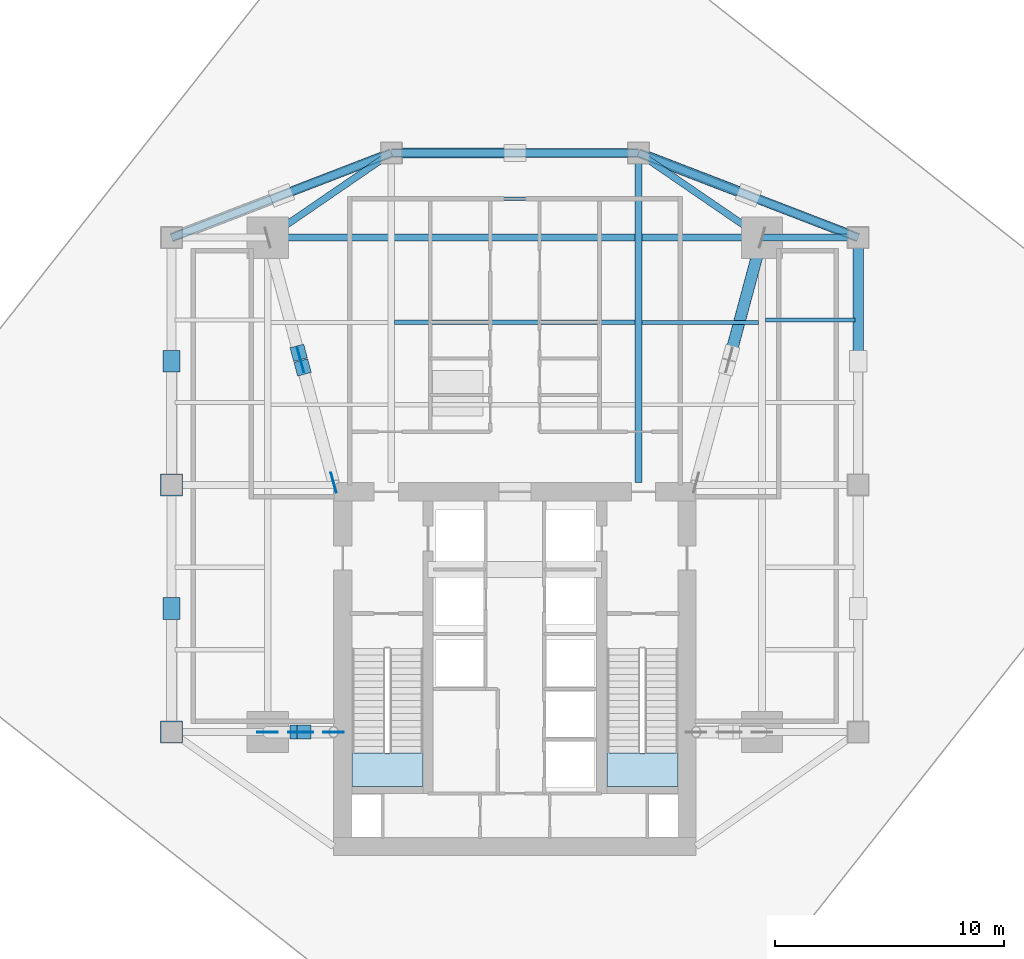
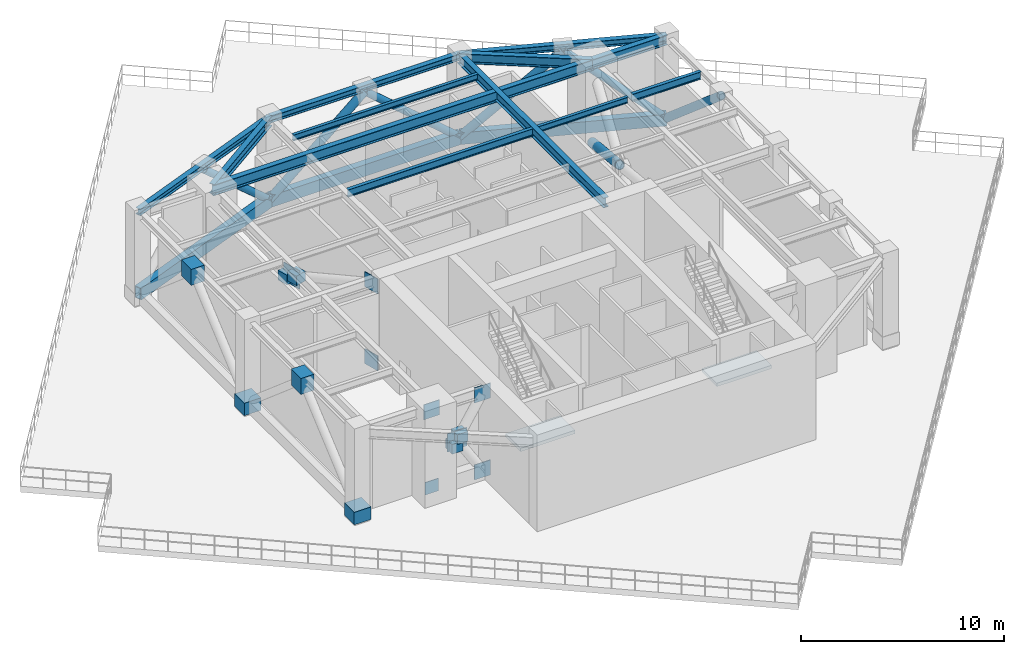
# One storey, part 2 of 8: 16 plates, 12 beams, 10 members, 2 slabs, 2 elements without a shape of their own.
"""IFC4 building model written with IfcOpenShell, lengths in metres."""

from ifc_helpers import new_model, si_unit, direction, frame, origin, origin_2d, place, context, subcontext, project, spatial, polyline, rectangle, hollow_rectangle, hollow_circle, i_section, outline, extrude, source, transform, mapped, material, layer, layer_set, material_profile, profile_set, type_object, type_shapes, element, aggregate, save


model = new_model("IFC4")

# Units and contexts
model_context = context("Model", 3, precision=1e-05, world=origin(), true_north=direction((0.0, 1.0)))
body_context = subcontext(model_context, "Body", "Model", "MODEL_VIEW")
ifc_project = project(units=[si_unit("LENGTHUNIT", "METRE"), si_unit("AREAUNIT", "SQUARE_METRE"), si_unit("VOLUMEUNIT", "CUBIC_METRE"), si_unit("PLANEANGLEUNIT", "RADIAN"), si_unit("MASSUNIT", "GRAM", prefix="KILO")], contexts=[model_context])

# Site, building, storey
site_placement = place(None, origin())
site = spatial("IfcSite", under=ifc_project, at=site_placement, CompositionType="ELEMENT")
building_placement = place(site_placement, origin())
building = spatial("IfcBuilding", under=site, at=building_placement, Name="Krantzveldt Concourse Tower", CompositionType="ELEMENT")
storey_placement = place(building_placement, frame((0.0, 0.0, 201.5)))
storey = spatial("IfcBuildingStorey", under=building, at=storey_placement, Name="L49", CompositionType="ELEMENT", Elevation=201.5)

# Beams
ifc_material_1 = material(Name="Steel S355JR", Category="steel")
ifc_material_profile_1 = material_profile(ifc_material_1, i_section(OverallWidth=0.300048828125, OverallDepth=0.639892578125, WebThickness=0.013427734375, FlangeThickness=0.02587890625, FilletRadius=0.027099609375, at=origin_2d()), Name="Steel S355JR", Category="steel")
ifc_profile_set_1 = profile_set([ifc_material_profile_1], Name="Steel S355JR - HEA 650")
beam_type_1 = type_object("IfcBeamType", Name="BM-B-HEA650", PredefinedType="BEAM", material=ifc_profile_set_1)
shared_shape_1 = source(origin(), body_context, "Body", "SweptSolid", [
    extrude(i_section(OverallWidth=0.300048828125, OverallDepth=0.639892578125, WebThickness=0.013427734375, FlangeThickness=0.02587890625, FilletRadius=0.027099609375, at=origin_2d()), origin(), (0.0, 0.0, 1.0), 21.60009765625),
])
type_shapes(beam_type_1, [shared_shape_1])
beam_1_placement = place(storey_placement, frame((25.199951171875, 37.5, 5.199951171875), z_axis=(1.0, 0.0, 0.0), x_axis=(0.0, 1.0, 0.0)))
element("IfcBeam", 1, at=beam_1_placement, inside=storey, type_object=beam_type_1, Name="L49 Tower Girder BG-MN", PredefinedType="BEAM", context=body_context, shape_type="MappedRepresentation", body=[
    mapped(shared_shape_1, transform((0.0, 0.0, 0.0), x_axis=(1.0, 0.0, 0.0), y_axis=(0.0, 1.0, 0.0), z_axis=(0.0, 0.0, 1.0), scale=1.0)),
])
ifc_material_profile_2 = material_profile(ifc_material_1, i_section(OverallWidth=0.300048828125, OverallDepth=0.590087890625, WebThickness=0.012939453125, FlangeThickness=0.02490234375, FilletRadius=0.027099609375, at=origin_2d()), Name="Steel S355JR", Category="steel")
ifc_profile_set_2 = profile_set([ifc_material_profile_2], Name="Steel S355JR - HEA 600")
beam_type_2 = type_object("IfcBeamType", Name="BM-B-HEA600", PredefinedType="BEAM", material=ifc_profile_set_2)
shared_shape_2 = source(origin(), body_context, "Body", "SweptSolid", [
    extrude(i_section(OverallWidth=0.300048828125, OverallDepth=0.590087890625, WebThickness=0.012939453125, FlangeThickness=0.02490234375, FilletRadius=0.027099609375, at=origin_2d()), origin(), (0.0, 0.0, 1.0), 14.39990234375),
])
beam_2_placement = place(storey_placement, frame((41.39990234375, 26.800048828125, 5.22509765625), z_axis=(0.0, 1.0, 0.0), x_axis=(-1.0, 0.0, 0.0)))
element("IfcBeam", 2, at=beam_2_placement, inside=storey, type_object=beam_type_2, Name="L49 Tower Girder BG-CNE", PredefinedType="BEAM", context=body_context, shape_type="MappedRepresentation", body=[
    mapped(shared_shape_2, transform((0.0, 0.0, 0.0), x_axis=(1.0, 0.0, 0.0), y_axis=(0.0, 1.0, 0.0), z_axis=(0.0, 0.0, 1.0), scale=1.0)),
])
shared_shape_3 = source(origin(), body_context, "Body", "SweptSolid", [
    extrude(i_section(OverallWidth=0.300048828125, OverallDepth=0.590087890625, WebThickness=0.012939453125, FlangeThickness=0.02490234375, FilletRadius=0.027099609375, at=origin_2d()), origin(), (0.0, 0.0, 1.0), 4.199951171875),
])
beam_3_placement = place(storey_placement, frame((46.800048828125, 37.5, 5.22509765625), z_axis=(1.0, 0.0, 0.0), x_axis=(0.0, 1.0, 0.0)))
element("IfcBeam", 3, at=beam_3_placement, inside=storey, type_object=beam_type_2, Name="L49 Tower Girder BR-RR3", PredefinedType="BEAM", context=body_context, shape_type="MappedRepresentation", body=[
    mapped(shared_shape_3, transform((0.0, 0.0, 0.0), x_axis=(1.0, 0.0, 0.0), y_axis=(0.0, 1.0, 0.0), z_axis=(0.0, 0.0, 1.0), scale=1.0)),
])
shared_shape_4 = source(origin(), body_context, "Body", "SweptSolid", [
    extrude(i_section(OverallWidth=0.300048828125, OverallDepth=0.590087890625, WebThickness=0.012939453125, FlangeThickness=0.02490234375, FilletRadius=0.027099609375, at=origin_2d()), origin(), (0.0, 0.0, 1.0), 6.546142578125),
])
type_shapes(beam_type_2, [shared_shape_2, shared_shape_3, shared_shape_4])
for number, where, z_axis, x_axis, name in (
    (4, (25.199951171875, 37.5, 5.22509765625), (0.824942999484, 0.565215930068, 0.0), (-0.565215930068, 0.824942999484, 0.0), "L49 Tower Girder BR-RL4"),
    (5, (46.800048828125, 37.5, 5.22509765625), (-0.824942999484, 0.565215930068, 0.0), (-0.565215930068, -0.824942999484, 0.0), "L49 Tower Girder BR-RR4"),
):
    element("IfcBeam", number, at=place(storey_placement, frame(where, z_axis=z_axis, x_axis=x_axis)), inside=storey, type_object=beam_type_2, Name=name, PredefinedType="BEAM", context=body_context, shape_type="MappedRepresentation", body=[
        mapped(shared_shape_4, transform((0.0, 0.0, 0.0), x_axis=(1.0, 0.0, 0.0), y_axis=(0.0, 1.0, 0.0), z_axis=(0.0, 0.0, 1.0), scale=1.0)),
    ])
ifc_material_profile_3 = material_profile(ifc_material_1, i_section(OverallWidth=0.18994140625, OverallDepth=0.449951171875, WebThickness=0.009521484375, FlangeThickness=0.0146484375, FilletRadius=0.02099609375, at=origin_2d()), Name="Steel S355JR", Category="steel")
ifc_profile_set_3 = profile_set([ifc_material_profile_3], Name="Steel S355JR - IPE 450")
beam_type_3 = type_object("IfcBeamType", Name="BM-J-IPE450", PredefinedType="JOIST", material=ifc_profile_set_3)
shared_shape_5 = source(origin(), body_context, "Body", "SweptSolid", [
    extrude(i_section(OverallWidth=0.18994140625, OverallDepth=0.449951171875, WebThickness=0.009521484375, FlangeThickness=0.0146484375, FilletRadius=0.02099609375, at=origin_2d()), origin(), (0.0, 0.0, 1.0), 10.5),
])
beam_4_placement = place(storey_placement, frame((30.75, 33.800048828125, 5.294921875), z_axis=(1.0, 0.0, 0.0), x_axis=(0.0, 1.0, 0.0)))
element("IfcBeam", 6, at=beam_4_placement, inside=storey, type_object=beam_type_3, Name="L49 Secondary Floor Joist JN-C2", PredefinedType="JOIST", context=body_context, shape_type="MappedRepresentation", body=[
    mapped(shared_shape_5, transform((0.0, 0.0, 0.0), x_axis=(1.0, 0.0, 0.0), y_axis=(0.0, 1.0, 0.0), z_axis=(0.0, 0.0, 1.0), scale=1.0)),
])

# Members
ifc_material_2 = material(Name="Steel S355J2", Category="steel")
ifc_material_profile_4 = material_profile(ifc_material_2, hollow_circle(Radius=0.25390625, WallThickness=0.035888671875, at=origin_2d()), Name="Steel S355J2", Category="steel")
ifc_profile_set_4 = profile_set([ifc_material_profile_4], Name="Steel S355J2 - CHS 508x36")
member_type_1 = type_object("IfcMemberType", Name="MB-OB-CHS508", PredefinedType="BRACE", material=ifc_profile_set_4)
shared_shape_6 = source(origin(), body_context, "Body", "SweptSolid", [
    extrude(hollow_circle(Radius=0.25390625, WallThickness=0.035888671875, at=origin_2d()), origin(), (0.0, 0.0, 1.0), 5.64501953125),
])
type_shapes(member_type_1, [shared_shape_6])
member_1_placement = place(storey_placement, frame((45.44580078125, 32.46875, 2.622314453125), z_axis=(0.239899958271, 0.891267052469, -0.384826001207), x_axis=(-0.965631138886, 0.259916339645, 0.0)))
element("IfcMember", 7, at=member_1_placement, inside=storey, type_object=member_type_1, Name="Brace Diagonal OT-NE-L49-D2B", PredefinedType="BRACE", context=body_context, shape_type="MappedRepresentation", body=[
    mapped(shared_shape_6, transform((0.0, 0.0, 0.0), x_axis=(1.0, 0.0, 0.0), y_axis=(0.0, 1.0, 0.0), z_axis=(0.0, 0.0, 1.0), scale=1.0)),
])
ifc_material_profile_5 = material_profile(ifc_material_2, hollow_circle(Radius=0.203125, WallThickness=0.02490234375, at=origin_2d()), Name="Steel S355J2", Category="steel")
ifc_profile_set_5 = profile_set([ifc_material_profile_5], Name="Steel S355J2 - CHS 406.4x25")
member_type_2 = type_object("IfcMemberType", Name="MB-BB-CHS406", PredefinedType="BRACE", material=ifc_profile_set_5)
shared_shape_7 = source(origin(), body_context, "Body", "SweptSolid", [
    extrude(hollow_circle(Radius=0.203125, WallThickness=0.02490234375, at=origin_2d()), origin(), (0.0, 0.0, 1.0), 7.106689453125),
])
member_2_placement = place(storey_placement, frame((41.39990234375, 41.199951171875, 0.449951171875), z_axis=(-0.759838293269, 0.0, 0.650112119623), x_axis=(0.0, -1.0, 0.0)))
element("IfcMember", 8, at=member_2_placement, inside=storey, type_object=member_type_2, Name="Brace Diagonal BT-L49-D2-04", PredefinedType="BRACE", context=body_context, shape_type="MappedRepresentation", body=[
    mapped(shared_shape_7, transform((0.0, 0.0, 0.0), x_axis=(1.0, 0.0, 0.0), y_axis=(0.0, 1.0, 0.0), z_axis=(0.0, 0.0, 1.0), scale=1.0)),
])
ifc_material_profile_6 = material_profile(ifc_material_2, hollow_rectangle(XDim=0.39990234375, YDim=0.699951171875, WallThickness=0.034912109375, at=origin_2d()), Name="Steel S355J2", Category="steel")
ifc_profile_set_6 = profile_set([ifc_material_profile_6], Name="Steel S355J2 - RHS 700x400x35")
member_type_3 = type_object("IfcMemberType", Name="MB-BC-RHS700", PredefinedType="CHORD", material=ifc_profile_set_6)
shared_shape_8 = source(origin(), body_context, "Body", "SweptSolid", [
    extrude(hollow_rectangle(XDim=0.39990234375, YDim=0.699951171875, WallThickness=0.034912109375, at=origin_2d()), origin(), (0.0, 0.0, 1.0), 10.288330078125),
])
for number, where, z_axis, x_axis, name in (
    (9, (21.0, 37.5, 0.449951171875), (0.933097690408, 0.359622997257, 0.0), (-0.359622997257, 0.933097690408, 0.0), "BT-L49-BC-03"),
    (10, (41.39990234375, 41.199951171875, 0.449951171875), (0.933097690408, -0.359622997257, 0.0), (0.359622997257, 0.933097690408, 0.0), "BT-L49-BC-05"),
):
    element("IfcMember", number, at=place(storey_placement, frame(where, z_axis=z_axis, x_axis=x_axis)), inside=storey, type_object=member_type_3, Name=name, PredefinedType="CHORD", context=body_context, shape_type="MappedRepresentation", body=[
        mapped(shared_shape_8, transform((0.0, 0.0, 0.0), x_axis=(1.0, 0.0, 0.0), y_axis=(0.0, 1.0, 0.0), z_axis=(0.0, 0.0, 1.0), scale=1.0)),
    ])
ifc_material_profile_7 = material_profile(ifc_material_2, hollow_circle(Radius=0.228515625, WallThickness=0.030029296875, at=origin_2d()), Name="Steel S355J2", Category="steel")
ifc_profile_set_7 = profile_set([ifc_material_profile_7], Name="Steel S355J2 - CHS 457x30")
member_type_4 = type_object("IfcMemberType", Name="MB-BB-CHS457", PredefinedType="BRACE", material=ifc_profile_set_7)
shared_shape_9 = source(origin(), body_context, "Body", "SweptSolid", [
    extrude(hollow_circle(Radius=0.228515625, WallThickness=0.030029296875, at=origin_2d()), origin(), (0.0, 0.0, 1.0), 6.914306640625),
])
member_3_placement = place(storey_placement, frame((41.39990234375, 41.199951171875, 0.449951171875), z_axis=(0.694217852662, -0.267539223316, 0.668194834635), x_axis=(0.359602336258, 0.933105653052, 0.0)))
element("IfcMember", 11, at=member_3_placement, inside=storey, type_object=member_type_4, Name="Brace Diagonal BT-L49-D1-05", PredefinedType="BRACE", context=body_context, shape_type="MappedRepresentation", body=[
    mapped(shared_shape_9, transform((0.0, 0.0, 0.0), x_axis=(1.0, 0.0, 0.0), y_axis=(0.0, 1.0, 0.0), z_axis=(0.0, 0.0, 1.0), scale=1.0)),
])
shared_shape_10 = source(origin(), body_context, "Body", "SweptSolid", [
    extrude(hollow_circle(Radius=0.203125, WallThickness=0.02490234375, at=origin_2d()), origin(), (0.0, 0.0, 1.0), 6.914306640625),
])
type_shapes(member_type_2, [shared_shape_7, shared_shape_10])
for number, where, z_axis, x_axis, name in (
    (12, (30.60009765625, 41.199951171875, 0.449951171875), (-0.694217852662, -0.267539223316, 0.668194834635), (0.359602336258, -0.933105653052, 0.0), "Brace Diagonal BT-L49-D2-03"),
    (13, (51.0, 37.5, 0.449951171875), (-0.694211294291, 0.26757200489, 0.668188522108), (-0.359643657726, -0.933089727442, 0.0), "Brace Diagonal BT-L49-D2-05"),
):
    element("IfcMember", number, at=place(storey_placement, frame(where, z_axis=z_axis, x_axis=x_axis)), inside=storey, type_object=member_type_2, Name=name, PredefinedType="BRACE", context=body_context, shape_type="MappedRepresentation", body=[
        mapped(shared_shape_10, transform((0.0, 0.0, 0.0), x_axis=(1.0, 0.0, 0.0), y_axis=(0.0, 1.0, 0.0), z_axis=(0.0, 0.0, 1.0), scale=1.0)),
    ])
shared_shape_11 = source(origin(), body_context, "Body", "SweptSolid", [
    extrude(hollow_rectangle(XDim=0.39990234375, YDim=0.699951171875, WallThickness=0.034912109375, at=origin_2d()), origin(), (0.0, 0.0, 1.0), 10.7998046875),
])
type_shapes(member_type_3, [shared_shape_8, shared_shape_11])
member_4_placement = place(storey_placement, frame((30.60009765625, 41.199951171875, 0.449951171875), z_axis=(1.0, 0.0, 0.0), x_axis=(0.0, 1.0, 0.0)))
element("IfcMember", 14, at=member_4_placement, inside=storey, type_object=member_type_3, Name="BT-L49-BC-04", PredefinedType="CHORD", context=body_context, shape_type="MappedRepresentation", body=[
    mapped(shared_shape_11, transform((0.0, 0.0, 0.0), x_axis=(1.0, 0.0, 0.0), y_axis=(0.0, 1.0, 0.0), z_axis=(0.0, 0.0, 1.0), scale=1.0)),
])
shared_shape_12 = source(origin(), body_context, "Body", "SweptSolid", [
    extrude(hollow_circle(Radius=0.228515625, WallThickness=0.030029296875, at=origin_2d()), origin(), (0.0, 0.0, 1.0), 7.106689453125),
])
type_shapes(member_type_4, [shared_shape_9, shared_shape_12])
for number, where, z_axis, x_axis, name in (
    (15, (30.60009765625, 41.199951171875, 0.449951171875), (0.759838293269, 0.0, 0.650112119623), (0.0, 1.0, 0.0), "Brace Diagonal BT-L49-D1-04"),
    (16, (51.0, 37.5, 0.449951171875), (0.0, -0.759838293269, 0.650112119623), (1.0, 0.0, 0.0), "Brace Diagonal BT-L49-D1-06"),
):
    element("IfcMember", number, at=place(storey_placement, frame(where, z_axis=z_axis, x_axis=x_axis)), inside=storey, type_object=member_type_4, Name=name, PredefinedType="BRACE", context=body_context, shape_type="MappedRepresentation", body=[
        mapped(shared_shape_12, transform((0.0, 0.0, 0.0), x_axis=(1.0, 0.0, 0.0), y_axis=(0.0, 1.0, 0.0), z_axis=(0.0, 0.0, 1.0), scale=1.0)),
    ])

# Beams
ifc_material_profile_8 = material_profile(ifc_material_1, i_section(OverallWidth=0.300048828125, OverallDepth=0.389892578125, WebThickness=0.010986328125, FlangeThickness=0.01904296875, FilletRadius=0.027099609375, at=origin_2d()), Name="Steel S355JR", Category="steel")
ifc_profile_set_8 = profile_set([ifc_material_profile_8], Name="Steel S355JR - HEA 400")
beam_type_4 = type_object("IfcBeamType", Name="BM-SP-HEA400", PredefinedType="SPANDREL", material=ifc_profile_set_8)
shared_shape_13 = source(origin(), body_context, "Body", "SweptSolid", [
    extrude(i_section(OverallWidth=0.300048828125, OverallDepth=0.389892578125, WebThickness=0.010986328125, FlangeThickness=0.01904296875, FilletRadius=0.027099609375, at=origin_2d()), origin(), (0.0, 0.0, 1.0), 10.288330078125),
])
for number, where, z_axis, x_axis, name in (
    (17, (21.0, 37.5, 5.324951171875), (0.933097690408, 0.359622997257, 0.0), (-0.359622997257, 0.933097690408, 0.0), "L49 Tower Girder SP-R03"),
    (18, (41.39990234375, 41.199951171875, 5.324951171875), (0.933097690408, -0.359622997257, 0.0), (0.359622997257, 0.933097690408, 0.0), "L49 Tower Girder SP-R05"),
):
    element("IfcBeam", number, at=place(storey_placement, frame(where, z_axis=z_axis, x_axis=x_axis)), inside=storey, type_object=beam_type_4, Name=name, PredefinedType="SPANDREL", context=body_context, shape_type="MappedRepresentation", body=[
        mapped(shared_shape_13, transform((0.0, 0.0, 0.0), x_axis=(1.0, 0.0, 0.0), y_axis=(0.0, 1.0, 0.0), z_axis=(0.0, 0.0, 1.0), scale=1.0)),
    ])
shared_shape_14 = source(origin(), body_context, "Body", "SweptSolid", [
    extrude(i_section(OverallWidth=0.300048828125, OverallDepth=0.389892578125, WebThickness=0.010986328125, FlangeThickness=0.01904296875, FilletRadius=0.027099609375, at=origin_2d()), origin(), (0.0, 0.0, 1.0), 10.7998046875),
])
type_shapes(beam_type_4, [shared_shape_13, shared_shape_14])
beam_5_placement = place(storey_placement, frame((30.60009765625, 41.199951171875, 5.324951171875), z_axis=(1.0, 0.0, 0.0), x_axis=(0.0, 1.0, 0.0)))
element("IfcBeam", 19, at=beam_5_placement, inside=storey, type_object=beam_type_4, Name="L49 Tower Girder SP-R04", PredefinedType="SPANDREL", context=body_context, shape_type="MappedRepresentation", body=[
    mapped(shared_shape_14, transform((0.0, 0.0, 0.0), x_axis=(1.0, 0.0, 0.0), y_axis=(0.0, 1.0, 0.0), z_axis=(0.0, 0.0, 1.0), scale=1.0)),
])
ifc_material_profile_9 = material_profile(ifc_material_1, i_section(OverallWidth=0.169921875, OverallDepth=0.360107421875, WebThickness=0.008056640625, FlangeThickness=0.0126953125, FilletRadius=0.01806640625, at=origin_2d()), Name="Steel S355JR", Category="steel")
ifc_profile_set_9 = profile_set([ifc_material_profile_9], Name="Steel S355JR - IPE 360")
beam_type_5 = type_object("IfcBeamType", Name="BM-J-IPE360", PredefinedType="JOIST", material=ifc_profile_set_9)
shared_shape_15 = source(origin(), body_context, "Body", "SweptSolid", [
    extrude(i_section(OverallWidth=0.169921875, OverallDepth=0.360107421875, WebThickness=0.008056640625, FlangeThickness=0.0126953125, FilletRadius=0.01806640625, at=origin_2d()), origin(), (0.0, 0.0, 1.0), 10.5),
])
beam_6_placement = place(storey_placement, frame((30.75, 39.199951171875, 5.340087890625), z_axis=(1.0, 0.0, 0.0), x_axis=(0.0, 1.0, 0.0)))
element("IfcBeam", 20, at=beam_6_placement, inside=storey, type_object=beam_type_5, Name="L49 Secondary Floor Joist JN-C3", PredefinedType="JOIST", context=body_context, shape_type="MappedRepresentation", body=[
    mapped(shared_shape_15, transform((0.0, 0.0, 0.0), x_axis=(1.0, 0.0, 0.0), y_axis=(0.0, 1.0, 0.0), z_axis=(0.0, 0.0, 1.0), scale=1.0)),
])
shared_shape_16 = source(origin(), body_context, "Body", "SweptSolid", [
    extrude(i_section(OverallWidth=0.169921875, OverallDepth=0.360107421875, WebThickness=0.008056640625, FlangeThickness=0.0126953125, FilletRadius=0.01806640625, at=origin_2d()), origin(), (0.0, 0.0, 1.0), 5.099853515625),
])
type_shapes(beam_type_5, [shared_shape_15, shared_shape_16])
beam_7_placement = place(storey_placement, frame((41.550048828125, 33.800048828125, 5.340087890625), z_axis=(1.0, 0.0, 0.0), x_axis=(0.0, 1.0, 0.0)))
element("IfcBeam", 21, at=beam_7_placement, inside=storey, type_object=beam_type_5, Name="L49 Secondary Floor Joist JN-E2", PredefinedType="JOIST", context=body_context, shape_type="MappedRepresentation", body=[
    mapped(shared_shape_16, transform((0.0, 0.0, 0.0), x_axis=(1.0, 0.0, 0.0), y_axis=(0.0, 1.0, 0.0), z_axis=(0.0, 0.0, 1.0), scale=1.0)),
])
shared_shape_17 = source(origin(), body_context, "Body", "SweptSolid", [
    extrude(i_section(OverallWidth=0.18994140625, OverallDepth=0.449951171875, WebThickness=0.009521484375, FlangeThickness=0.0146484375, FilletRadius=0.02099609375, at=origin_2d()), origin(), (0.0, 0.0, 1.0), 3.900146484375),
])
type_shapes(beam_type_3, [shared_shape_5, shared_shape_17])
beam_8_placement = place(storey_placement, frame((46.949951171875, 33.89990234375, 5.294921875), z_axis=(1.0, 0.0, 0.0), x_axis=(0.0, 1.0, 0.0)))
element("IfcBeam", 22, at=beam_8_placement, inside=storey, type_object=beam_type_3, Name="L49 Secondary Floor Joist JE-4", PredefinedType="JOIST", context=body_context, shape_type="MappedRepresentation", body=[
    mapped(shared_shape_17, transform((0.0, 0.0, 0.0), x_axis=(1.0, 0.0, 0.0), y_axis=(0.0, 1.0, 0.0), z_axis=(0.0, 0.0, 1.0), scale=1.0)),
])

# Stair, slab
ifc_material_3 = material(Name="Precast concrete C40/50", Category="concrete")
stair_type = type_object("IfcStairType", Name="STR-CORE-DOGLEG", PredefinedType="HALF_TURN_STAIR", material=ifc_material_3)
stair_1_placement = place(storey_placement, origin())
stair_1 = element("IfcStair", 23, at=stair_1_placement, inside=storey, type_object=stair_type, Name="L49 Protected Escape Stair ST-1", PredefinedType="HALF_TURN_STAIR")
ifc_layer_1 = layer(ifc_material_3, 0.199951171875, Name="Precast concrete C40/50", Category="concrete")
ifc_layer_set_1 = layer_set([ifc_layer_1], Name="Precast concrete C40/50 (SL-LANDING-200)")
slab_type = type_object("IfcSlabType", Name="SL-LANDING-200", PredefinedType="LANDING", material=ifc_layer_set_1)
slab_1_placement = place(storey_placement, frame((0.0, 0.0, 2.699951171875)))
slab_1 = element("IfcSlab", 24, at=slab_1_placement, type_object=slab_type, Name="ST-1 landing 1", PredefinedType="LANDING", context=body_context, shape_type="SweptSolid", body=[
    extrude(outline(polyline([(28.8798828125, 14.989990234375), (28.8798828125, 13.52001953125), (31.97998046875, 13.52001953125), (31.97998046875, 14.989990234375), (28.8798828125, 14.989990234375)])), origin(), (0.0, 0.0, 1.0), 0.199951171875),
])
aggregate(stair_1, [slab_1])

stair_2_placement = place(storey_placement, origin())
stair_2 = element("IfcStair", 25, at=stair_2_placement, inside=storey, type_object=stair_type, Name="L49 Protected Escape Stair ST-2", PredefinedType="HALF_TURN_STAIR")
slab_2_placement = place(storey_placement, frame((0.0, 0.0, 2.699951171875)))
slab_2 = element("IfcSlab", 26, at=slab_2_placement, type_object=slab_type, Name="ST-2 landing 1", PredefinedType="LANDING", context=body_context, shape_type="SweptSolid", body=[
    extrude(outline(polyline([(40.02001953125, 14.989990234375), (40.02001953125, 13.52001953125), (43.1201171875, 13.52001953125), (43.1201171875, 14.989990234375), (40.02001953125, 14.989990234375)])), origin(), (0.0, 0.0, 1.0), 0.199951171875),
])
aggregate(stair_2, [slab_2])

# Plates
ifc_layer_2 = layer(ifc_material_2, 0.0400390625, Name="Steel S355J2", Category="steel")
ifc_layer_set_2 = layer_set([ifc_layer_2], Name="Steel S355J2 (PL-GUSSET-40)")
plate_type_1 = type_object("IfcPlateType", Name="PL-GUSSET-40", PredefinedType="USERDEFINED", material=ifc_layer_set_2)
shared_shape_18 = source(origin(), body_context, "Body", "SweptSolid", [
    extrude(rectangle(XDim=0.89990234375, YDim=0.0400390625, at=origin_2d()), origin(), (0.0, 0.0, 1.0), 0.89990234375),
])
type_shapes(plate_type_1, [shared_shape_18])
for number, where, z_axis, x_axis, name in (
    (27, (28.080078125, 15.89990234375, 0.0), (0.0, 0.0, 1.0), (1.0, 0.0, 0.0), "OT-SW-L49-GP1"),
    (28, (28.080078125, 15.89990234375, 4.6201171875), (0.0, 0.0, 1.0), (1.0, 0.0, 0.0), "OT-SW-L49-GP2"),
    (29, (25.199951171875, 15.89990234375, 4.6201171875), (0.0, 0.0, 1.0), (1.0, 0.0, 0.0), "OT-SW-L49-GP3"),
    (30, (28.080078125, 26.800048828125, 0.0), (0.0, 0.0, 1.0), (-0.259914686406, 0.965631583882, 0.0), "OT-NW-L49-GP1"),
    (31, (28.080078125, 26.800048828125, 4.6201171875), (0.0, 0.0, 1.0), (-0.259914686406, 0.965631583882, 0.0), "OT-NW-L49-GP2"),
):
    element("IfcPlate", number, at=place(storey_placement, frame(where, z_axis=z_axis, x_axis=x_axis)), inside=storey, type_object=plate_type_1, Name=name, ObjectType="GUSSET PLATE", PredefinedType="USERDEFINED", context=body_context, shape_type="MappedRepresentation", body=[
        mapped(shared_shape_18, transform((0.0, 0.0, 0.0), x_axis=(1.0, 0.0, 0.0), y_axis=(0.0, 1.0, 0.0), z_axis=(0.0, 0.0, 1.0), scale=1.0)),
    ])
ifc_layer_3 = layer(ifc_material_2, 0.0400390625, Name="Steel S355J2", Category="steel")
ifc_layer_set_3 = layer_set([ifc_layer_3], Name="Steel S355J2 (PL-GUSSET-X40)")
plate_type_2 = type_object("IfcPlateType", Name="PL-GUSSET-X40", PredefinedType="USERDEFINED", material=ifc_layer_set_3)
shared_shape_19 = source(origin(), body_context, "Body", "SweptSolid", [
    extrude(rectangle(XDim=1.10009765625, YDim=0.0400390625, at=origin_2d()), origin(), (0.0, 0.0, 1.0), 1.10009765625),
])
type_shapes(plate_type_2, [shared_shape_19])
for number, where, z_axis, x_axis, name in (
    (32, (26.639892578125, 15.89990234375, 2.2099609375), (0.0, 0.0, 1.0), (1.0, 0.0, 0.0), "L49 Outrigger X-Brace Crossing Node Plate OT-SW"),
    (33, (26.639892578125, 32.14990234375, 2.2099609375), (0.0, 0.0, 1.0), (-0.259914686406, 0.965631583882, 0.0), "L49 Outrigger X-Brace Crossing Node Plate OT-NW"),
):
    element("IfcPlate", number, at=place(storey_placement, frame(where, z_axis=z_axis, x_axis=x_axis)), inside=storey, type_object=plate_type_2, Name=name, ObjectType="GUSSET PLATE", PredefinedType="USERDEFINED", context=body_context, shape_type="MappedRepresentation", body=[
        mapped(shared_shape_19, transform((0.0, 0.0, 0.0), x_axis=(1.0, 0.0, 0.0), y_axis=(0.0, 1.0, 0.0), z_axis=(0.0, 0.0, 1.0), scale=1.0)),
    ])
ifc_layer_4 = layer(ifc_material_2, 0.034912109375, Name="Steel S355J2", Category="steel")
ifc_layer_set_4 = layer_set([ifc_layer_4], Name="Steel S355J2 (PL-ENDCAP-35)")
plate_type_3 = type_object("IfcPlateType", Name="PL-ENDCAP-35", PredefinedType="SHEET", material=ifc_layer_set_4)
shared_shape_20 = source(origin(), body_context, "Body", "SweptSolid", [
    extrude(rectangle(XDim=0.6201171875, YDim=0.6201171875, at=origin_2d()), origin(), (0.0, 0.0, 1.0), 0.580078125),
])
for number, where, z_axis, x_axis, name in (
    (34, (26.78955078125, 15.89990234375, 2.7099609375), (0.0, 0.0, 1.0), (1.0, 0.0, 0.0), "OT-SW-L49-ECA"),
    (35, (26.490234375, 15.89990234375, 2.22998046875), (0.0, 0.0, 1.0), (1.0, 0.0, 0.0), "OT-SW-L49-ECB"),
    (36, (26.725830078125, 31.831298828125, 2.607666015625), (0.0, 0.0, 1.0), (-0.259914686406, 0.965631583882, 0.0), "OT-NW-L49-ECA"),
    (37, (26.55419921875, 32.46875, 2.332275390625), (0.0, 0.0, 1.0), (-0.259914686406, 0.965631583882, 0.0), "OT-NW-L49-ECB"),
):
    element("IfcPlate", number, at=place(storey_placement, frame(where, z_axis=z_axis, x_axis=x_axis)), inside=storey, type_object=plate_type_3, Name=name, PredefinedType="SHEET", context=body_context, shape_type="MappedRepresentation", body=[
        mapped(shared_shape_20, transform((0.0, 0.0, 0.0), x_axis=(1.0, 0.0, 0.0), y_axis=(0.0, 1.0, 0.0), z_axis=(0.0, 0.0, 1.0), scale=1.0)),
    ])
shared_shape_21 = source(origin(), body_context, "Body", "SweptSolid", [
    extrude(rectangle(XDim=0.75, YDim=0.034912109375, at=origin_2d()), origin(), (0.0, 0.0, 1.0), 0.75),
])
type_shapes(plate_type_3, [shared_shape_20, shared_shape_21])
plate_placement = place(storey_placement, frame((25.199951171875, 15.89990234375, 0.074951171875), z_axis=(0.0, 0.0, 1.0), x_axis=(1.0, 0.0, 0.0)))
element("IfcPlate", 38, at=plate_placement, inside=storey, type_object=plate_type_3, Name="OT-SW-L49-EC", PredefinedType="SHEET", context=body_context, shape_type="MappedRepresentation", body=[
    mapped(shared_shape_21, transform((0.0, 0.0, 0.0), x_axis=(1.0, 0.0, 0.0), y_axis=(0.0, 1.0, 0.0), z_axis=(0.0, 0.0, 1.0), scale=1.0)),
])
ifc_layer_5 = layer(ifc_material_2, 0.0419921875, Name="Steel S355J2", Category="steel")
ifc_layer_set_5 = layer_set([ifc_layer_5], Name="Steel S355J2 (PL-GUSSET-EXT40)")
plate_type_4 = type_object("IfcPlateType", Name="PL-GUSSET-EXT40", PredefinedType="USERDEFINED", material=ifc_layer_set_5)
shared_shape_22 = source(origin(), body_context, "Body", "SweptSolid", [
    extrude(rectangle(XDim=0.9599609375, YDim=0.9599609375, at=origin_2d()), origin(), (0.0, 0.0, 1.0), 0.75),
])
for number, where, z_axis, x_axis, name in (
    (39, (21.0, 15.89990234375, 0.074951171875), (0.0, 0.0, 1.0), (1.0, 0.0, 0.0), "BT-L49-GPB-01"),
    (40, (21.0, 26.699951171875, 0.074951171875), (0.0, 0.0, 1.0), (1.0, 0.0, 0.0), "BT-L49-GPB-02"),
):
    element("IfcPlate", number, at=place(storey_placement, frame(where, z_axis=z_axis, x_axis=x_axis)), inside=storey, type_object=plate_type_4, Name=name, ObjectType="GUSSET PLATE", PredefinedType="USERDEFINED", context=body_context, shape_type="MappedRepresentation", body=[
        mapped(shared_shape_22, transform((0.0, 0.0, 0.0), x_axis=(1.0, 0.0, 0.0), y_axis=(0.0, 1.0, 0.0), z_axis=(0.0, 0.0, 1.0), scale=1.0)),
    ])
shared_shape_23 = source(origin(), body_context, "Body", "SweptSolid", [
    extrude(rectangle(XDim=0.9599609375, YDim=0.75, at=origin_2d()), origin(), (0.0, 0.0, 1.0), 0.9599609375),
])
type_shapes(plate_type_4, [shared_shape_22, shared_shape_23])
for number, where, z_axis, x_axis, name in (
    (41, (21.0, 21.300048828125, 4.590087890625), (0.0, 0.0, 1.0), (0.0, 1.0, 0.0), "BT-L49-GP-01"),
    (42, (21.0, 32.10009765625, 4.590087890625), (0.0, 0.0, 1.0), (0.0, 1.0, 0.0), "BT-L49-GP-02"),
):
    element("IfcPlate", number, at=place(storey_placement, frame(where, z_axis=z_axis, x_axis=x_axis)), inside=storey, type_object=plate_type_4, Name=name, ObjectType="GUSSET PLATE", PredefinedType="USERDEFINED", context=body_context, shape_type="MappedRepresentation", body=[
        mapped(shared_shape_23, transform((0.0, 0.0, 0.0), x_axis=(1.0, 0.0, 0.0), y_axis=(0.0, 1.0, 0.0), z_axis=(0.0, 0.0, 1.0), scale=1.0)),
    ])

save(model, "model.ifc")
